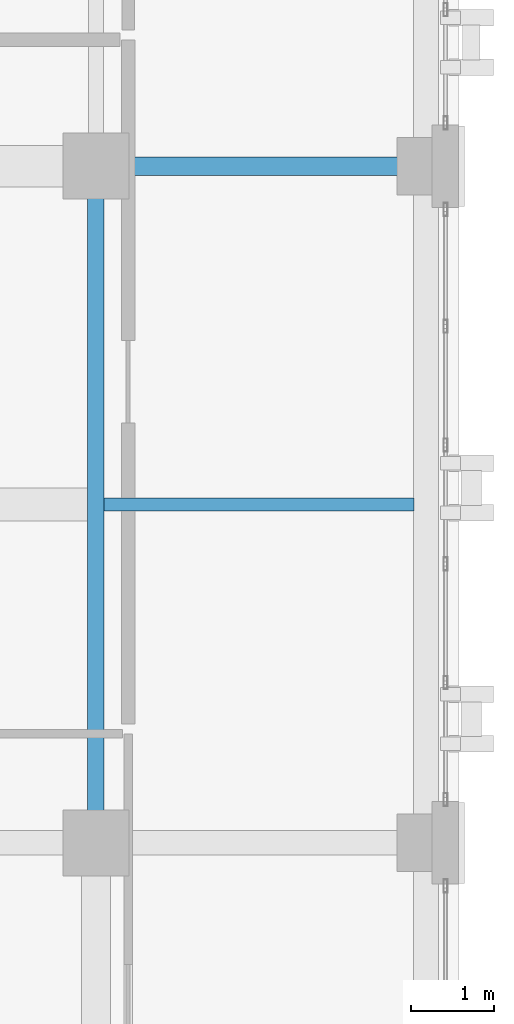
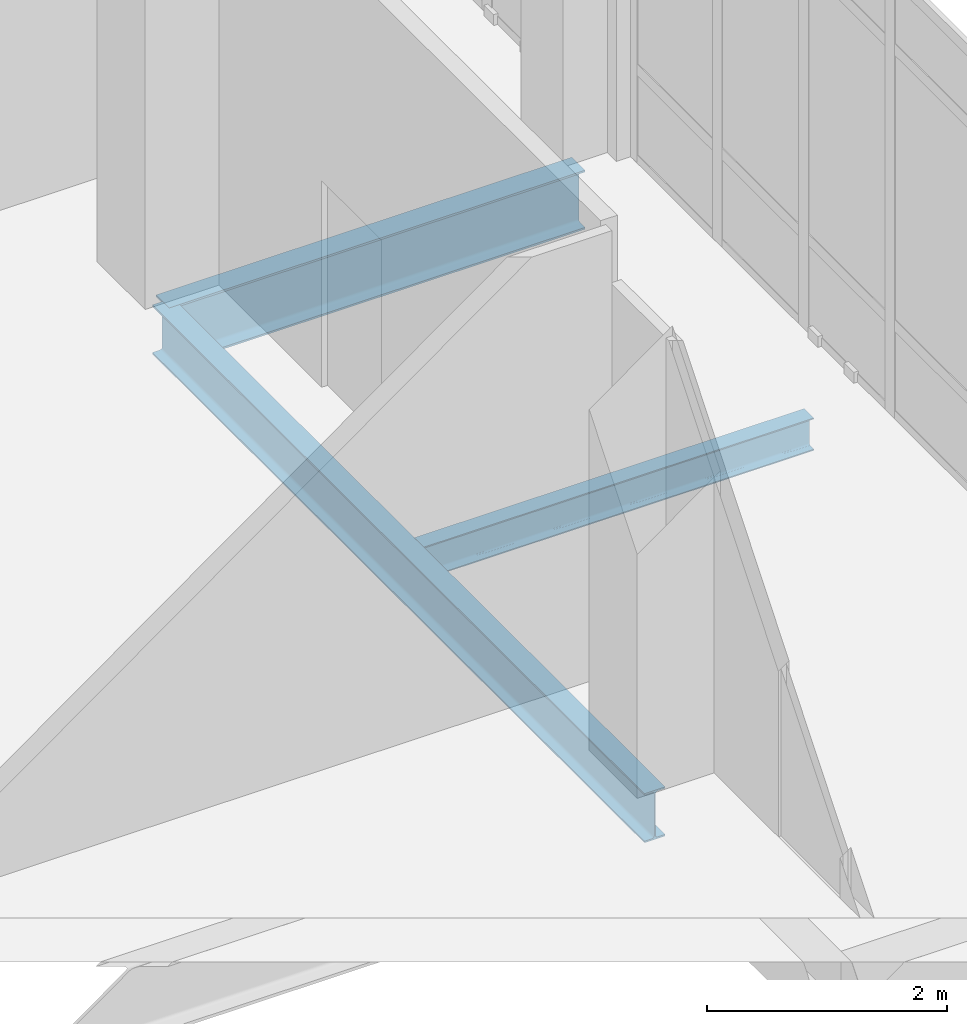
# One storey, part 76 of 189: 3 beams.
"""IFC4 building model written with IfcOpenShell, lengths in metres."""

from ifc_helpers import new_model, si_unit, direction, frame, origin, origin_2d, place, context, subcontext, project, spatial, i_section, extrude, material, material_profile, profile_set, type_object, element, save


model = new_model("IFC4")

# Units and contexts
model_context = context("Model", 3, precision=1e-05, world=origin(), true_north=direction((0.0, 1.0)))
body_context = subcontext(model_context, "Body", "Model", "MODEL_VIEW")
ifc_project = project(units=[si_unit("LENGTHUNIT", "METRE"), si_unit("AREAUNIT", "SQUARE_METRE"), si_unit("VOLUMEUNIT", "CUBIC_METRE"), si_unit("PLANEANGLEUNIT", "RADIAN"), si_unit("MASSUNIT", "GRAM", prefix="KILO")], contexts=[model_context])

# Site, building, storey
site_placement = place(None, origin())
site = spatial("IfcSite", under=ifc_project, at=site_placement, CompositionType="ELEMENT")
building_placement = place(site_placement, origin())
building = spatial("IfcBuilding", under=site, at=building_placement, Name="Qalavern Law Courts", CompositionType="ELEMENT")
storey_placement = place(building_placement, frame((0.0, 0.0, 5.39990234375)))
storey = spatial("IfcBuildingStorey", under=building, at=storey_placement, Name="L01", CompositionType="ELEMENT", Elevation=5.39990234375)

# Beams
ifc_material = material(Name="Steel S355", Category="steel")
ifc_material_profile_1 = material_profile(ifc_material, i_section(OverallWidth=0.199951171875, OverallDepth=0.5, WebThickness=0.01025390625, FlangeThickness=0.01611328125, FilletRadius=0.02099609375, at=origin_2d()), Name="IPE 500")
ifc_profile_set_1 = profile_set([ifc_material_profile_1], Name="Steel S355")
beam_type_1 = type_object("IfcBeamType", Name="STR-BM-IPE500", PredefinedType="BEAM", material=ifc_profile_set_1)
beam_1_placement = place(storey_placement, frame((14.39990234375, 79.39990234375, -0.5498046875), z_axis=(0.0, 1.0, 0.0), x_axis=(-1.0, 0.0, 0.0)))
element("IfcBeam", 1, at=beam_1_placement, inside=storey, type_object=beam_type_1, Name="V3 Y-beam 2-6 L01", PredefinedType="BEAM", context=body_context, shape_type="SweptSolid", body=[
    extrude(i_section(OverallWidth=0.199951171875, OverallDepth=0.5, WebThickness=0.01025390625, FlangeThickness=0.01611328125, FilletRadius=0.02099609375, at=origin_2d()), origin(), (0.0, 0.0, 1.0), 8.2001953125),
])
ifc_material_profile_2 = material_profile(ifc_material, i_section(OverallWidth=0.219970703125, OverallDepth=0.60009765625, WebThickness=0.011962890625, FlangeThickness=0.01904296875, FilletRadius=0.02392578125, at=origin_2d()), Name="IPE 600")
ifc_profile_set_2 = profile_set([ifc_material_profile_2], Name="Steel S355")
beam_type_2 = type_object("IfcBeamType", Name="STR-BM-IPE600", PredefinedType="BEAM", material=ifc_profile_set_2)
beam_2_placement = place(storey_placement, frame((14.39990234375, 87.60009765625, -0.599853515625), z_axis=(1.0, 0.0, 0.0), x_axis=(0.0, 1.0, 0.0)))
element("IfcBeam", 2, at=beam_2_placement, inside=storey, type_object=beam_type_2, Name="V3 X-beam 7-2 L01", PredefinedType="BEAM", context=body_context, shape_type="SweptSolid", body=[
    extrude(i_section(OverallWidth=0.219970703125, OverallDepth=0.60009765625, WebThickness=0.011962890625, FlangeThickness=0.01904296875, FilletRadius=0.02392578125, at=origin_2d()), origin(), (0.0, 0.0, 1.0), 4.0),
])
ifc_material_profile_3 = material_profile(ifc_material, i_section(OverallWidth=0.159912109375, OverallDepth=0.330078125, WebThickness=0.007568359375, FlangeThickness=0.011474609375, FilletRadius=0.01806640625, at=origin_2d()), Name="IPE 330")
ifc_profile_set_3 = profile_set([ifc_material_profile_3], Name="Steel S355")
beam_type_3 = type_object("IfcBeamType", Name="STR-JST-IPE330", PredefinedType="JOIST", material=ifc_profile_set_3)
beam_3_placement = place(storey_placement, frame((14.498046875, 83.5, -0.46484375), z_axis=(1.0, 0.0, 0.0), x_axis=(0.0, 1.0, 0.0)))
element("IfcBeam", 3, at=beam_3_placement, inside=storey, type_object=beam_type_3, Name="V3 secondary joist 2.6.1 L01", PredefinedType="JOIST", context=body_context, shape_type="SweptSolid", body=[
    extrude(i_section(OverallWidth=0.159912109375, OverallDepth=0.330078125, WebThickness=0.007568359375, FlangeThickness=0.011474609375, FilletRadius=0.01806640625, at=origin_2d()), origin(), (0.0, 0.0, 1.0), 3.75390625),
])

save(model, "model.ifc")
